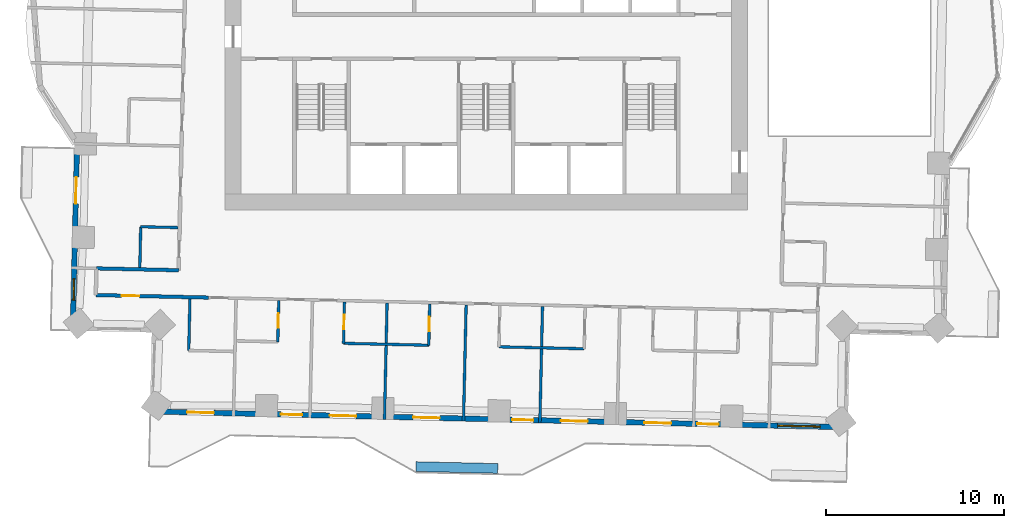
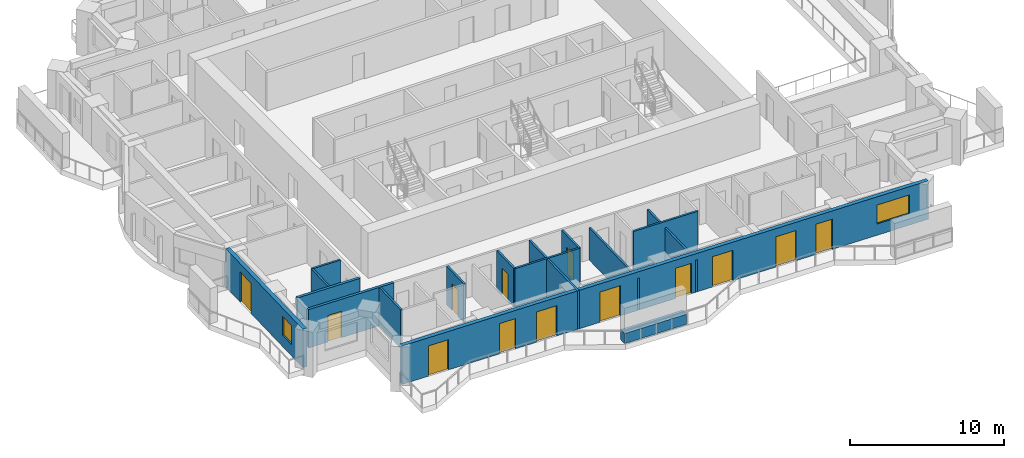
# One storey, part 4 of 15: 16 walls, 13 doors, 2 windows, 15 openings.
"""IFC4 building model written with IfcOpenShell, lengths in metres."""

from ifc_helpers import new_model, si_unit, direction, frame, frame_2d, origin, place, context, subcontext, project, spatial, rectangle, extrude, material, layer, layer_set, type_object, element, fill, save


model = new_model("IFC4")

# Units and contexts
model_context = context("Model", 3, precision=1e-05, world=origin(), true_north=direction((0.0, 1.0)))
body_context = subcontext(model_context, "Body", "Model", "MODEL_VIEW")
ifc_project = project(units=[si_unit("LENGTHUNIT", "METRE"), si_unit("AREAUNIT", "SQUARE_METRE"), si_unit("VOLUMEUNIT", "CUBIC_METRE"), si_unit("PLANEANGLEUNIT", "RADIAN"), si_unit("MASSUNIT", "GRAM", prefix="KILO")], contexts=[model_context])

# Site, building, storey
site_placement = place(None, origin())
site = spatial("IfcSite", under=ifc_project, at=site_placement, CompositionType="ELEMENT")
building_placement = place(site_placement, origin())
building = spatial("IfcBuilding", under=site, at=building_placement, Name="Mangrove Gate Tower", CompositionType="ELEMENT")
storey_placement = place(building_placement, frame((0.0, 0.0, 156.300048828125)))
storey = spatial("IfcBuildingStorey", under=building, at=storey_placement, Name="L39", CompositionType="ELEMENT", Elevation=156.300048828125)

# Wall, opening, door
ifc_material_1 = material(Name="Gypsum board on steel stud, EI 60", Category="steel")
ifc_layer_1 = layer(ifc_material_1, 0.199951171875)
ifc_layer_set_1 = layer_set([ifc_layer_1], Name="Corridor wall EI 60")
wall_type_1 = type_object("IfcWallType", Name="Corridor wall EI 60", PredefinedType="PARTITIONING", material=ifc_layer_set_1)
wall_1_placement = place(storey_placement, frame((-21.98291015625, -16.489013671875, 0.0), z_axis=(0.0, 0.0, 1.0), x_axis=(0.999744930163, -0.022584831499, 0.0)))
wall_1 = element("IfcWall", 1, at=wall_1_placement, inside=storey, type_object=wall_type_1, Name="WALL-L39-026", PredefinedType="PARTITIONING", context=body_context, shape_type="SweptSolid", body=[
    extrude(rectangle(XDim=6.334716796875, YDim=0.199951171875, at=frame_2d((3.16748046875, 0.0))), origin(), (0.0, 0.0, 1.0), 3.050048828125),
])
opening_1_placement = place(wall_1_placement, frame((1.449951171875, 0.0, 0.0)))
opening_1 = element("IfcOpeningElement", 2, at=opening_1_placement, cuts=wall_1, Name="Opening AD", PredefinedType="OPENING", context=body_context, shape_type="SweptSolid", body=[
    extrude(rectangle(XDim=1.0, YDim=2.10009765625, at=frame_2d((0.5, 1.050048828125))), frame((0.0, 0.10986328125, 0.0), z_axis=(0.0, -1.0, 0.0), x_axis=(1.0, 0.0, 0.0)), (0.0, 0.0, 1.0), 0.219970703125),
])
ifc_material_2 = material(Name="Timber door leaf", Category="wood")
door_type_1 = type_object("IfcDoorType", Name="Amenity door 1000", OperationType="SINGLE_SWING_LEFT", PredefinedType="DOOR", material=ifc_material_2)
door_1_placement = place(opening_1_placement, origin())
door_1 = element("IfcDoor", 3, at=door_1_placement, inside=storey, type_object=door_type_1, Name="DOOR-L39-KIT-c1a", OperationType="SINGLE_SWING_LEFT", OverallHeight=2.10009765625, OverallWidth=1.0, PredefinedType="DOOR", context=body_context, shape_type="SweptSolid", body=[
    extrude(rectangle(XDim=1.0, YDim=2.10009765625, at=frame_2d((0.5, 1.050048828125))), frame((0.0, 0.02490234375, 0.0), z_axis=(0.0, -1.0, 0.0), x_axis=(1.0, 0.0, 0.0)), (0.0, 0.0, 1.0), 0.050048828125),
])
fill(opening_1, door_1)

# Wall
wall_2_placement = place(storey_placement, frame((-21.948974609375, -14.989013671875, 0.0), z_axis=(0.0, 0.0, 1.0), x_axis=(0.999743491588, -0.022648422179, 0.0)))
element("IfcWall", 4, at=wall_2_placement, inside=storey, type_object=wall_type_1, Name="WALL-L39-034", PredefinedType="PARTITIONING", context=body_context, shape_type="SweptSolid", body=[
    extrude(rectangle(XDim=4.63525390625, YDim=0.199951171875, at=frame_2d((2.317626953125, 0.0))), origin(), (0.0, 0.0, 1.0), 3.050048828125),
])

# Wall, openings, door, window
ifc_material_3 = material(Name="Limestone", Category="masonry")
ifc_layer_2 = layer(ifc_material_3, 0.0400390625, Name="Limestone cladding")
ifc_material_4 = material(Name="Ventilated air gap")
ifc_layer_3 = layer(ifc_material_4, 0.0400390625, Name="Ventilated cavity")
ifc_material_5 = material(Name="Mineral wool insulation")
ifc_layer_4 = layer(ifc_material_5, 0.06005859375, Name="Insulation")
ifc_material_6 = material(Name="Breather membrane")
ifc_layer_5 = layer(ifc_material_6, 0.001953125, Name="Breather membrane")
ifc_material_7 = material(Name="Concrete C20/25 blockwork", Category="masonry")
ifc_layer_6 = layer(ifc_material_7, 0.14990234375, Name="Blockwork backing wall")
ifc_material_8 = material(Name="Gypsum plaster")
ifc_layer_7 = layer(ifc_material_8, 0.008056640625, Name="Internal plaster")
ifc_layer_set_2 = layer_set([ifc_layer_2, ifc_layer_3, ifc_layer_4, ifc_layer_5, ifc_layer_6, ifc_layer_7], Name="External wall 300 limestone cladding")
wall_type_2 = type_object("IfcWallType", Name="External wall 300 limestone cladding", PredefinedType="SOLIDWALL", material=ifc_layer_set_2)
wall_3_placement = place(storey_placement, frame((-23.0380859375, -7.9130859375, 0.0), z_axis=(0.0, 0.0, 1.0), x_axis=(-0.022705985163, -0.999742185885, 0.0)))
wall_3 = element("IfcWall", 5, at=wall_3_placement, inside=storey, type_object=wall_type_2, Name="WALL-L39-W10", PredefinedType="SOLIDWALL", context=body_context, shape_type="SweptSolid", body=[
    extrude(rectangle(XDim=10.4296875, YDim=0.300048828125, at=frame_2d((5.21484375, 0.0))), origin(), (0.0, 0.0, 1.0), 3.050048828125),
])
opening_2_placement = place(wall_3_placement, frame((1.93603515625, 0.0, 0.0)))
opening_2 = element("IfcOpeningElement", 6, at=opening_2_placement, cuts=wall_3, Name="Opening BD1", PredefinedType="OPENING", context=body_context, shape_type="SweptSolid", body=[
    extrude(rectangle(XDim=1.5, YDim=2.39990234375, at=frame_2d((0.75, 1.199951171875))), frame((0.0, 0.159912109375, 0.0), z_axis=(0.0, -1.0, 0.0), x_axis=(1.0, 0.0, 0.0)), (0.0, 0.0, 1.0), 0.320068359375),
])
opening_3_placement = place(wall_3_placement, frame((7.669921875, 0.0, 0.89990234375)))
opening_3 = element("IfcOpeningElement", 7, at=opening_3_placement, cuts=wall_3, Name="Opening W1", PredefinedType="OPENING", context=body_context, shape_type="SweptSolid", body=[
    extrude(rectangle(XDim=1.199951171875, YDim=1.5, at=frame_2d((0.60009765625, 0.75))), frame((0.0, 0.159912109375, 0.0), z_axis=(0.0, -1.0, 0.0), x_axis=(1.0, 0.0, 0.0)), (0.0, 0.0, 1.0), 0.320068359375),
])
ifc_material_9 = material(Name="Aluminium frame with laminated clear glass", Category="aluminium")
door_type_2 = type_object("IfcDoorType", Name="Balcony sliding door 1500x2400", OperationType="SLIDING_TO_LEFT", PredefinedType="DOOR", material=ifc_material_9)
door_2_placement = place(opening_2_placement, origin())
door_2 = element("IfcDoor", 8, at=door_2_placement, inside=storey, type_object=door_type_2, Name="DOOR-L39-W10-1", OperationType="SLIDING_TO_LEFT", OverallHeight=2.39990234375, OverallWidth=1.5, PredefinedType="DOOR", context=body_context, shape_type="SweptSolid", body=[
    extrude(rectangle(XDim=1.5, YDim=2.39990234375, at=frame_2d((0.75, 1.199951171875))), frame((0.0, 0.02490234375, 0.0), z_axis=(0.0, -1.0, 0.0), x_axis=(1.0, 0.0, 0.0)), (0.0, 0.0, 1.0), 0.050048828125),
])
fill(opening_2, door_2)
ifc_material_10 = material(Name="Aluminium frame with double-glazed low-e glass", Category="aluminium")
window_type_1 = type_object("IfcWindowType", Name="Side lite 1200x1500", PartitioningType="SINGLE_PANEL", PredefinedType="WINDOW", material=ifc_material_10)
window_1_placement = place(opening_3_placement, origin())
window_1 = element("IfcWindow", 9, at=window_1_placement, inside=storey, type_object=window_type_1, Name="WIN-L39-W10-2", OverallHeight=1.5, OverallWidth=1.199951171875, PartitioningType="SINGLE_PANEL", PredefinedType="WINDOW", context=body_context, shape_type="SweptSolid", body=[
    extrude(rectangle(XDim=1.199951171875, YDim=1.5, at=frame_2d((0.60009765625, 0.75))), frame((0.0, 0.030029296875, 0.0), z_axis=(0.0, -1.0, 0.0), x_axis=(1.0, 0.0, 0.0)), (0.0, 0.0, 1.0), 0.06005859375),
])
fill(opening_3, window_1)

# Wall, openings, doors, window
wall_4_placement = place(storey_placement, frame((-18.781005859375, -23.04296875, 0.0), z_axis=(0.0, 0.0, 1.0), x_axis=(0.999742794992, -0.022679150367, 0.0)))
wall_4 = element("IfcWall", 10, at=wall_4_placement, inside=storey, type_object=wall_type_2, Name="WALL-L39-S13", PredefinedType="SOLIDWALL", context=body_context, shape_type="SweptSolid", body=[
    extrude(rectangle(XDim=38.97998046875, YDim=0.300048828125, at=frame_2d((19.489990234375, 0.0))), origin(), (0.0, 0.0, 1.0), 3.050048828125),
])
opening_4_placement = place(wall_4_placement, frame((1.93994140625, 0.0, 0.0)))
opening_4 = element("IfcOpeningElement", 11, at=opening_4_placement, cuts=wall_4, Name="Opening BD1", PredefinedType="OPENING", context=body_context, shape_type="SweptSolid", body=[
    extrude(rectangle(XDim=1.5, YDim=2.39990234375, at=frame_2d((0.75, 1.199951171875))), frame((0.0, 0.159912109375, 0.0), z_axis=(0.0, -1.0, 0.0), x_axis=(1.0, 0.0, 0.0)), (0.0, 0.0, 1.0), 0.320068359375),
])
opening_5_placement = place(wall_4_placement, frame((7.2109375, 0.0, 0.0)))
opening_5 = element("IfcOpeningElement", 12, at=opening_5_placement, cuts=wall_4, Name="Opening BD2", PredefinedType="OPENING", context=body_context, shape_type="SweptSolid", body=[
    extrude(rectangle(XDim=1.199951171875, YDim=2.39990234375, at=frame_2d((0.60009765625, 1.199951171875))), frame((0.0, 0.159912109375, 0.0), z_axis=(0.0, -1.0, 0.0), x_axis=(1.0, 0.0, 0.0)), (0.0, 0.0, 1.0), 0.320068359375),
])
opening_6_placement = place(wall_4_placement, frame((9.958984375, 0.0, 0.0)))
opening_6 = element("IfcOpeningElement", 13, at=opening_6_placement, cuts=wall_4, Name="Opening BD1", PredefinedType="OPENING", context=body_context, shape_type="SweptSolid", body=[
    extrude(rectangle(XDim=1.5, YDim=2.39990234375, at=frame_2d((0.75, 1.199951171875))), frame((0.0, 0.159912109375, 0.0), z_axis=(0.0, -1.0, 0.0), x_axis=(1.0, 0.0, 0.0)), (0.0, 0.0, 1.0), 0.320068359375),
])
opening_7_placement = place(wall_4_placement, frame((14.658935546875, 0.0, 0.0)))
opening_7 = element("IfcOpeningElement", 14, at=opening_7_placement, cuts=wall_4, Name="Opening BD1", PredefinedType="OPENING", context=body_context, shape_type="SweptSolid", body=[
    extrude(rectangle(XDim=1.5, YDim=2.39990234375, at=frame_2d((0.75, 1.199951171875))), frame((0.0, 0.159912109375, 0.0), z_axis=(0.0, -1.0, 0.0), x_axis=(1.0, 0.0, 0.0)), (0.0, 0.0, 1.0), 0.320068359375),
])
opening_8_placement = place(wall_4_placement, frame((20.23193359375, 0.0, 0.0)))
opening_8 = element("IfcOpeningElement", 15, at=opening_8_placement, cuts=wall_4, Name="Opening BD2", PredefinedType="OPENING", context=body_context, shape_type="SweptSolid", body=[
    extrude(rectangle(XDim=1.199951171875, YDim=2.39990234375, at=frame_2d((0.60009765625, 1.199951171875))), frame((0.0, 0.159912109375, 0.0), z_axis=(0.0, -1.0, 0.0), x_axis=(1.0, 0.0, 0.0)), (0.0, 0.0, 1.0), 0.320068359375),
])
opening_9_placement = place(wall_4_placement, frame((22.98095703125, 0.0, 0.0)))
opening_9 = element("IfcOpeningElement", 16, at=opening_9_placement, cuts=wall_4, Name="Opening BD1", PredefinedType="OPENING", context=body_context, shape_type="SweptSolid", body=[
    extrude(rectangle(XDim=1.5, YDim=2.39990234375, at=frame_2d((0.75, 1.199951171875))), frame((0.0, 0.159912109375, 0.0), z_axis=(0.0, -1.0, 0.0), x_axis=(1.0, 0.0, 0.0)), (0.0, 0.0, 1.0), 0.320068359375),
])
opening_10_placement = place(wall_4_placement, frame((27.680908203125, 0.0, 0.0)))
opening_10 = element("IfcOpeningElement", 17, at=opening_10_placement, cuts=wall_4, Name="Opening BD1", PredefinedType="OPENING", context=body_context, shape_type="SweptSolid", body=[
    extrude(rectangle(XDim=1.5, YDim=2.39990234375, at=frame_2d((0.75, 1.199951171875))), frame((0.0, 0.159912109375, 0.0), z_axis=(0.0, -1.0, 0.0), x_axis=(1.0, 0.0, 0.0)), (0.0, 0.0, 1.0), 0.320068359375),
])
opening_11_placement = place(wall_4_placement, frame((30.654052734375, 0.0, 0.0)))
opening_11 = element("IfcOpeningElement", 18, at=opening_11_placement, cuts=wall_4, Name="Opening BD2", PredefinedType="OPENING", context=body_context, shape_type="SweptSolid", body=[
    extrude(rectangle(XDim=1.199951171875, YDim=2.39990234375, at=frame_2d((0.60009765625, 1.199951171875))), frame((0.0, 0.159912109375, 0.0), z_axis=(0.0, -1.0, 0.0), x_axis=(1.0, 0.0, 0.0)), (0.0, 0.0, 1.0), 0.320068359375),
])
opening_12_placement = place(wall_4_placement, frame((35.176025390625, 0.0, 0.89990234375)))
opening_12 = element("IfcOpeningElement", 19, at=opening_12_placement, cuts=wall_4, Name="Opening W2", PredefinedType="OPENING", context=body_context, shape_type="SweptSolid", body=[
    extrude(rectangle(XDim=2.39990234375, YDim=1.5, at=frame_2d((1.199951171875, 0.75))), frame((0.0, 0.159912109375, 0.0), z_axis=(0.0, -1.0, 0.0), x_axis=(1.0, 0.0, 0.0)), (0.0, 0.0, 1.0), 0.320068359375),
])
ifc_material_11 = material(Name="Aluminium frame with laminated clear glass", Category="aluminium")
door_type_3 = type_object("IfcDoorType", Name="Balcony sliding door 1200x2400", OperationType="SLIDING_TO_LEFT", PredefinedType="DOOR", material=ifc_material_11)
door_3_placement = place(opening_5_placement, origin())
door_3 = element("IfcDoor", 20, at=door_3_placement, inside=storey, type_object=door_type_3, Name="DOOR-L39-S13-2", OperationType="SLIDING_TO_LEFT", OverallHeight=2.39990234375, OverallWidth=1.199951171875, PredefinedType="DOOR", context=body_context, shape_type="SweptSolid", body=[
    extrude(rectangle(XDim=1.199951171875, YDim=2.39990234375, at=frame_2d((0.60009765625, 1.199951171875))), frame((0.0, 0.02490234375, 0.0), z_axis=(0.0, -1.0, 0.0), x_axis=(1.0, 0.0, 0.0)), (0.0, 0.0, 1.0), 0.050048828125),
])
fill(opening_5, door_3)
door_4_placement = place(opening_8_placement, origin())
door_4 = element("IfcDoor", 21, at=door_4_placement, inside=storey, type_object=door_type_3, Name="DOOR-L39-S13-5", OperationType="SLIDING_TO_LEFT", OverallHeight=2.39990234375, OverallWidth=1.199951171875, PredefinedType="DOOR", context=body_context, shape_type="SweptSolid", body=[
    extrude(rectangle(XDim=1.199951171875, YDim=2.39990234375, at=frame_2d((0.60009765625, 1.199951171875))), frame((0.0, 0.02490234375, 0.0), z_axis=(0.0, -1.0, 0.0), x_axis=(1.0, 0.0, 0.0)), (0.0, 0.0, 1.0), 0.050048828125),
])
fill(opening_8, door_4)
door_5_placement = place(opening_11_placement, origin())
door_5 = element("IfcDoor", 22, at=door_5_placement, inside=storey, type_object=door_type_3, Name="DOOR-L39-S13-8", OperationType="SLIDING_TO_LEFT", OverallHeight=2.39990234375, OverallWidth=1.199951171875, PredefinedType="DOOR", context=body_context, shape_type="SweptSolid", body=[
    extrude(rectangle(XDim=1.199951171875, YDim=2.39990234375, at=frame_2d((0.60009765625, 1.199951171875))), frame((0.0, 0.02490234375, 0.0), z_axis=(0.0, -1.0, 0.0), x_axis=(1.0, 0.0, 0.0)), (0.0, 0.0, 1.0), 0.050048828125),
])
fill(opening_11, door_5)
door_6_placement = place(opening_4_placement, origin())
door_6 = element("IfcDoor", 23, at=door_6_placement, inside=storey, type_object=door_type_2, Name="DOOR-L39-S13-1", OperationType="SLIDING_TO_LEFT", OverallHeight=2.39990234375, OverallWidth=1.5, PredefinedType="DOOR", context=body_context, shape_type="SweptSolid", body=[
    extrude(rectangle(XDim=1.5, YDim=2.39990234375, at=frame_2d((0.75, 1.199951171875))), frame((0.0, 0.02490234375, 0.0), z_axis=(0.0, -1.0, 0.0), x_axis=(1.0, 0.0, 0.0)), (0.0, 0.0, 1.0), 0.050048828125),
])
fill(opening_4, door_6)
door_7_placement = place(opening_6_placement, origin())
door_7 = element("IfcDoor", 24, at=door_7_placement, inside=storey, type_object=door_type_2, Name="DOOR-L39-S13-3", OperationType="SLIDING_TO_LEFT", OverallHeight=2.39990234375, OverallWidth=1.5, PredefinedType="DOOR", context=body_context, shape_type="SweptSolid", body=[
    extrude(rectangle(XDim=1.5, YDim=2.39990234375, at=frame_2d((0.75, 1.199951171875))), frame((0.0, 0.02490234375, 0.0), z_axis=(0.0, -1.0, 0.0), x_axis=(1.0, 0.0, 0.0)), (0.0, 0.0, 1.0), 0.050048828125),
])
fill(opening_6, door_7)
door_8_placement = place(opening_7_placement, origin())
door_8 = element("IfcDoor", 25, at=door_8_placement, inside=storey, type_object=door_type_2, Name="DOOR-L39-S13-4", OperationType="SLIDING_TO_LEFT", OverallHeight=2.39990234375, OverallWidth=1.5, PredefinedType="DOOR", context=body_context, shape_type="SweptSolid", body=[
    extrude(rectangle(XDim=1.5, YDim=2.39990234375, at=frame_2d((0.75, 1.199951171875))), frame((0.0, 0.02490234375, 0.0), z_axis=(0.0, -1.0, 0.0), x_axis=(1.0, 0.0, 0.0)), (0.0, 0.0, 1.0), 0.050048828125),
])
fill(opening_7, door_8)
door_9_placement = place(opening_9_placement, origin())
door_9 = element("IfcDoor", 26, at=door_9_placement, inside=storey, type_object=door_type_2, Name="DOOR-L39-S13-6", OperationType="SLIDING_TO_LEFT", OverallHeight=2.39990234375, OverallWidth=1.5, PredefinedType="DOOR", context=body_context, shape_type="SweptSolid", body=[
    extrude(rectangle(XDim=1.5, YDim=2.39990234375, at=frame_2d((0.75, 1.199951171875))), frame((0.0, 0.02490234375, 0.0), z_axis=(0.0, -1.0, 0.0), x_axis=(1.0, 0.0, 0.0)), (0.0, 0.0, 1.0), 0.050048828125),
])
fill(opening_9, door_9)
door_10_placement = place(opening_10_placement, origin())
door_10 = element("IfcDoor", 27, at=door_10_placement, inside=storey, type_object=door_type_2, Name="DOOR-L39-S13-7", OperationType="SLIDING_TO_LEFT", OverallHeight=2.39990234375, OverallWidth=1.5, PredefinedType="DOOR", context=body_context, shape_type="SweptSolid", body=[
    extrude(rectangle(XDim=1.5, YDim=2.39990234375, at=frame_2d((0.75, 1.199951171875))), frame((0.0, 0.02490234375, 0.0), z_axis=(0.0, -1.0, 0.0), x_axis=(1.0, 0.0, 0.0)), (0.0, 0.0, 1.0), 0.050048828125),
])
fill(opening_10, door_10)
ifc_material_12 = material(Name="Aluminium frame with double-glazed low-e glass", Category="aluminium")
window_type_2 = type_object("IfcWindowType", Name="Corner room window 2400x1500", PartitioningType="DOUBLE_PANEL_VERTICAL", PredefinedType="WINDOW", material=ifc_material_12)
window_2_placement = place(opening_12_placement, origin())
window_2 = element("IfcWindow", 28, at=window_2_placement, inside=storey, type_object=window_type_2, Name="WIN-L39-S13-9", OverallHeight=1.5, OverallWidth=2.39990234375, PartitioningType="DOUBLE_PANEL_VERTICAL", PredefinedType="WINDOW", context=body_context, shape_type="SweptSolid", body=[
    extrude(rectangle(XDim=2.39990234375, YDim=1.5, at=frame_2d((1.199951171875, 0.75))), frame((0.0, 0.030029296875, 0.0), z_axis=(0.0, -1.0, 0.0), x_axis=(1.0, 0.0, 0.0)), (0.0, 0.0, 1.0), 0.06005859375),
])
fill(opening_12, window_2)

# Walls
ifc_material_13 = material(Name="Gypsum board on steel stud, EI 60", Category="steel")
ifc_layer_8 = layer(ifc_material_13, 0.14990234375)
ifc_layer_set_3 = layer_set([ifc_layer_8], Name="Party wall 150 EI 60")
wall_type_3 = type_object("IfcWallType", Name="Party wall 150 EI 60", PredefinedType="PARTITIONING", material=ifc_layer_set_3)
wall_5_placement = place(storey_placement, frame((-5.737060546875, -23.489013671875, 0.0), z_axis=(0.0, 0.0, 1.0), x_axis=(0.022585104341, 0.999744923999, 0.0)))
element("IfcWall", 29, at=wall_5_placement, inside=storey, type_object=wall_type_3, Name="WALL-L39-003", PredefinedType="PARTITIONING", context=body_context, shape_type="SweptSolid", body=[
    extrude(rectangle(XDim=6.55078125, YDim=0.14990234375, at=frame_2d((3.275390625, 0.0))), origin(), (0.0, 0.0, 1.0), 3.050048828125),
])
wall_6_placement = place(storey_placement, frame((-1.2890625, -23.590087890625, 0.0), z_axis=(0.0, 0.0, 1.0), x_axis=(0.022771353855, 0.999740699103, 0.0)))
element("IfcWall", 30, at=wall_6_placement, inside=storey, type_object=wall_type_3, Name="WALL-L39-004", PredefinedType="PARTITIONING", context=body_context, shape_type="SweptSolid", body=[
    extrude(rectangle(XDim=6.55078125, YDim=0.14990234375, at=frame_2d((3.275390625, 0.0))), origin(), (0.0, 0.0, 1.0), 2.550048828125),
])
wall_7_placement = place(storey_placement, frame((3.010009765625, -23.68798828125, 0.0), z_axis=(0.0, 0.0, 1.0), x_axis=(0.02273071641, 0.999741623887, 0.0)))
element("IfcWall", 31, at=wall_7_placement, inside=storey, type_object=wall_type_3, Name="WALL-L39-005", PredefinedType="PARTITIONING", context=body_context, shape_type="SweptSolid", body=[
    extrude(rectangle(XDim=6.5517578125, YDim=0.14990234375, at=frame_2d((3.27587890625, 0.0))), origin(), (0.0, 0.0, 1.0), 2.550048828125),
])
wall_8_placement = place(storey_placement, frame((-16.751953125, -19.612060546875, 0.0), z_axis=(0.0, 0.0, 1.0), x_axis=(0.022730967319, 0.999741618182, 0.0)))
element("IfcWall", 32, at=wall_8_placement, inside=storey, type_object=wall_type_3, Name="WALL-L39-009", PredefinedType="PARTITIONING", context=body_context, shape_type="SweptSolid", body=[
    extrude(rectangle(XDim=2.89990234375, YDim=0.14990234375, at=frame_2d((1.449951171875, 0.0))), origin(), (0.0, 0.0, 1.0), 3.050048828125),
])

# Wall, opening, door
wall_9_placement = place(storey_placement, frame((-11.739990234375, -19.1259765625, 0.0), z_axis=(0.0, 0.0, 1.0), x_axis=(0.022781023197, 0.999740478815, 0.0)))
wall_9 = element("IfcWall", 33, at=wall_9_placement, inside=storey, type_object=wall_type_3, Name="WALL-L39-013", PredefinedType="PARTITIONING", context=body_context, shape_type="SweptSolid", body=[
    extrude(rectangle(XDim=2.325439453125, YDim=0.14990234375, at=frame_2d((1.16259765625, 0.0))), origin(), (0.0, 0.0, 1.0), 3.050048828125),
])
opening_13_placement = place(wall_9_placement, frame((0.800048828125, 0.0, 0.0)))
opening_13 = element("IfcOpeningElement", 34, at=opening_13_placement, cuts=wall_9, Name="Opening ED", PredefinedType="OPENING", context=body_context, shape_type="SweptSolid", body=[
    extrude(rectangle(XDim=0.800048828125, YDim=2.10009765625, at=frame_2d((0.39990234375, 1.050048828125))), frame((0.0, 0.0849609375, 0.0), z_axis=(0.0, -1.0, 0.0), x_axis=(1.0, 0.0, 0.0)), (0.0, 0.0, 1.0), 0.169921875),
])
ifc_material_14 = material(Name="Timber door leaf", Category="wood")
door_type_4 = type_object("IfcDoorType", Name="En-suite door 800", OperationType="SINGLE_SWING_LEFT", PredefinedType="DOOR", material=ifc_material_14)
door_11_placement = place(opening_13_placement, origin())
door_11 = element("IfcDoor", 35, at=door_11_placement, inside=storey, type_object=door_type_4, Name="DOOR-L39-ENS-c101", OperationType="SINGLE_SWING_LEFT", OverallHeight=2.10009765625, OverallWidth=0.800048828125, PredefinedType="DOOR", context=body_context, shape_type="SweptSolid", body=[
    extrude(rectangle(XDim=0.800048828125, YDim=2.10009765625, at=frame_2d((0.39990234375, 1.050048828125))), frame((0.0, 0.02490234375, 0.0), z_axis=(0.0, -1.0, 0.0), x_axis=(1.0, 0.0, 0.0)), (0.0, 0.0, 1.0), 0.050048828125),
])
fill(opening_13, door_11)

wall_10_placement = place(storey_placement, frame((-8.041015625, -19.2099609375, 0.0), z_axis=(0.0, 0.0, 1.0), x_axis=(0.022781023197, 0.999740478815, 0.0)))
wall_10 = element("IfcWall", 36, at=wall_10_placement, inside=storey, type_object=wall_type_3, Name="WALL-L39-014", PredefinedType="PARTITIONING", context=body_context, shape_type="SweptSolid", body=[
    extrude(rectangle(XDim=2.325439453125, YDim=0.14990234375, at=frame_2d((1.16259765625, 0.0))), origin(), (0.0, 0.0, 1.0), 3.050048828125),
])
opening_14_placement = place(wall_10_placement, frame((0.800048828125, 0.0, 0.0)))
opening_14 = element("IfcOpeningElement", 37, at=opening_14_placement, cuts=wall_10, Name="Opening ED", PredefinedType="OPENING", context=body_context, shape_type="SweptSolid", body=[
    extrude(rectangle(XDim=0.800048828125, YDim=2.10009765625, at=frame_2d((0.39990234375, 1.050048828125))), frame((0.0, 0.0849609375, 0.0), z_axis=(0.0, -1.0, 0.0), x_axis=(1.0, 0.0, 0.0)), (0.0, 0.0, 1.0), 0.169921875),
])
door_12_placement = place(opening_14_placement, origin())
door_12 = element("IfcDoor", 38, at=door_12_placement, inside=storey, type_object=door_type_4, Name="DOOR-L39-ENS-c102", OperationType="SINGLE_SWING_RIGHT", OverallHeight=2.10009765625, OverallWidth=0.800048828125, PredefinedType="DOOR", context=body_context, shape_type="SweptSolid", body=[
    extrude(rectangle(XDim=0.800048828125, YDim=2.10009765625, at=frame_2d((0.39990234375, 1.050048828125))), frame((0.0, 0.02490234375, 0.0), z_axis=(0.0, -1.0, 0.0), x_axis=(1.0, 0.0, 0.0)), (0.0, 0.0, 1.0), 0.050048828125),
])
fill(opening_14, door_12)

wall_11_placement = place(storey_placement, frame((-3.241943359375, -19.319091796875, 0.0), z_axis=(0.0, 0.0, 1.0), x_axis=(0.022778632478, 0.99974053329, 0.0)))
wall_11 = element("IfcWall", 39, at=wall_11_placement, inside=storey, type_object=wall_type_3, Name="WALL-L39-015", PredefinedType="PARTITIONING", context=body_context, shape_type="SweptSolid", body=[
    extrude(rectangle(XDim=2.32568359375, YDim=0.14990234375, at=frame_2d((1.162841796875, 0.0))), origin(), (0.0, 0.0, 1.0), 3.050048828125),
])
opening_15_placement = place(wall_11_placement, frame((0.800048828125, 0.0, 0.0)))
opening_15 = element("IfcOpeningElement", 40, at=opening_15_placement, cuts=wall_11, Name="Opening ED", PredefinedType="OPENING", context=body_context, shape_type="SweptSolid", body=[
    extrude(rectangle(XDim=0.800048828125, YDim=2.10009765625, at=frame_2d((0.39990234375, 1.050048828125))), frame((0.0, 0.0849609375, 0.0), z_axis=(0.0, -1.0, 0.0), x_axis=(1.0, 0.0, 0.0)), (0.0, 0.0, 1.0), 0.169921875),
])
door_13_placement = place(opening_15_placement, origin())
door_13 = element("IfcDoor", 41, at=door_13_placement, inside=storey, type_object=door_type_4, Name="DOOR-L39-ENS-c103", OperationType="SINGLE_SWING_LEFT", OverallHeight=2.10009765625, OverallWidth=0.800048828125, PredefinedType="DOOR", context=body_context, shape_type="SweptSolid", body=[
    extrude(rectangle(XDim=0.800048828125, YDim=2.10009765625, at=frame_2d((0.39990234375, 1.050048828125))), frame((0.0, 0.02490234375, 0.0), z_axis=(0.0, -1.0, 0.0), x_axis=(1.0, 0.0, 0.0)), (0.0, 0.0, 1.0), 0.050048828125),
])
fill(opening_15, door_13)

# Walls
for number, where, z_axis, x_axis, name in (
    (42, (-8.041015625, -19.2060546875, 0.0), (0.0, 0.0, 1.0), (0.999742701292, -0.022683280499, 0.0), "WALL-L39-021"),
    (43, (0.70703125, -19.404052734375, 0.0), (0.0, 0.0, 1.0), (0.999742701292, -0.022683280499, 0.0), "WALL-L39-022"),
):
    element("IfcWall", number, at=place(storey_placement, frame(where, z_axis=z_axis, x_axis=x_axis)), inside=storey, type_object=wall_type_3, Name=name, PredefinedType="PARTITIONING", context=body_context, shape_type="SweptSolid", body=[
        extrude(rectangle(XDim=4.80029296875, YDim=0.14990234375, at=frame_2d((2.400146484375, 0.0))), origin(), (0.0, 0.0, 1.0), 3.050048828125),
    ])
wall_12_placement = place(storey_placement, frame((-19.507080078125, -14.948974609375, 0.0), z_axis=(0.0, 0.0, 1.0), x_axis=(0.022603288534, 0.999744513037, 0.0)))
element("IfcWall", 44, at=wall_12_placement, inside=storey, type_object=wall_type_3, Name="WALL-L39-029", PredefinedType="PARTITIONING", context=body_context, shape_type="SweptSolid", body=[
    extrude(rectangle(XDim=2.300537109375, YDim=0.14990234375, at=frame_2d((1.150390625, 0.0))), origin(), (0.0, 0.0, 1.0), 3.050048828125),
])
wall_13_placement = place(storey_placement, frame((-19.4599609375, -12.64501953125, 0.0), z_axis=(0.0, 0.0, 1.0), x_axis=(0.999737799372, -0.022898307927, 0.0)))
element("IfcWall", 45, at=wall_13_placement, inside=storey, type_object=wall_type_3, Name="WALL-L39-037", PredefinedType="PARTITIONING", context=body_context, shape_type="SweptSolid", body=[
    extrude(rectangle(XDim=2.100341796875, YDim=0.14990234375, at=frame_2d((1.05029296875, 0.0))), origin(), (0.0, 0.0, 1.0), 3.050048828125),
])
ifc_material_15 = material(Name="Concrete C32/40", Category="concrete")
ifc_layer_9 = layer(ifc_material_15, 0.199951171875, Name="Planter trough wall")
ifc_material_16 = material(Name="Bituminous waterproofing membrane")
ifc_layer_10 = layer(ifc_material_16, 0.0048828125, Name="Waterproofing")
ifc_material_17 = material(Name="Drainage board and gravel")
ifc_layer_11 = layer(ifc_material_17, 0.044921875, Name="Drainage layer")
ifc_material_18 = material(Name="Planting soil")
ifc_layer_12 = layer(ifc_material_18, 0.300048828125, Name="Growing medium")
ifc_layer_set_4 = layer_set([ifc_layer_9, ifc_layer_10, ifc_layer_11, ifc_layer_12], Name="Planter wall 550 C32/40")
wall_type_4 = type_object("IfcWallType", Name="Planter wall 550 C32/40", PredefinedType="USERDEFINED", material=ifc_layer_set_4)
wall_14_placement = place(storey_placement, frame((-3.95703125, -26.14501953125, 0.0), z_axis=(0.0, 0.0, 1.0), x_axis=(0.999739473419, -0.022825102133, 0.0)))
element("IfcWall", 46, at=wall_14_placement, inside=storey, type_object=wall_type_4, Name="PLANTER L39 S0.1", ObjectType="PLANTER", PredefinedType="USERDEFINED", context=body_context, shape_type="SweptSolid", body=[
    extrude(rectangle(XDim=4.599365234375, YDim=0.550048828125, at=frame_2d((2.2998046875, 0.0))), origin(), (0.0, 0.0, 1.0), 0.800048828125),
])

save(model, "model.ifc")
